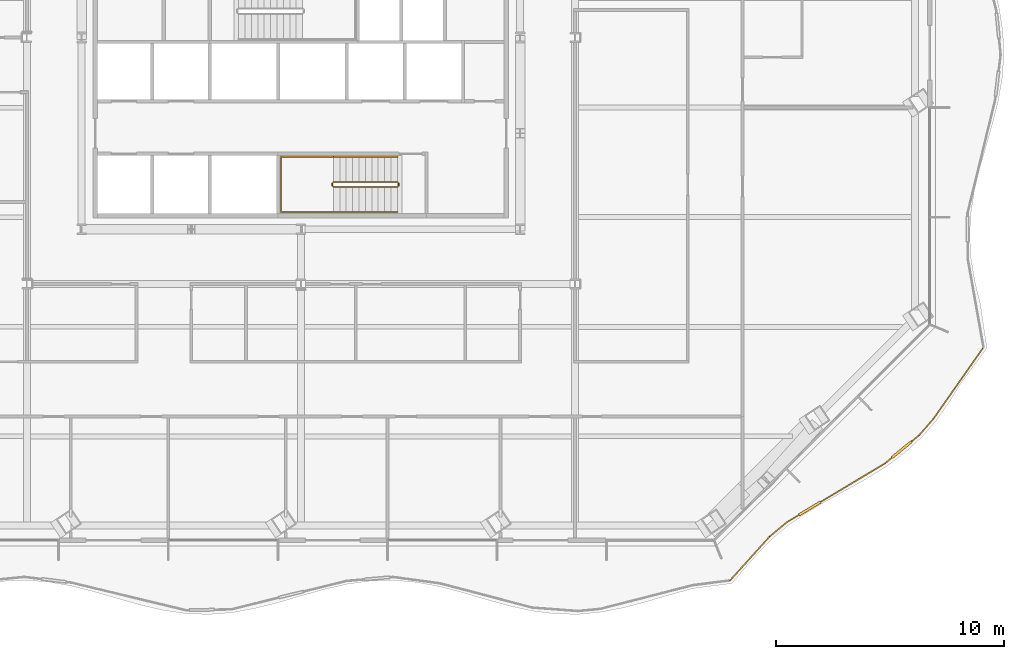
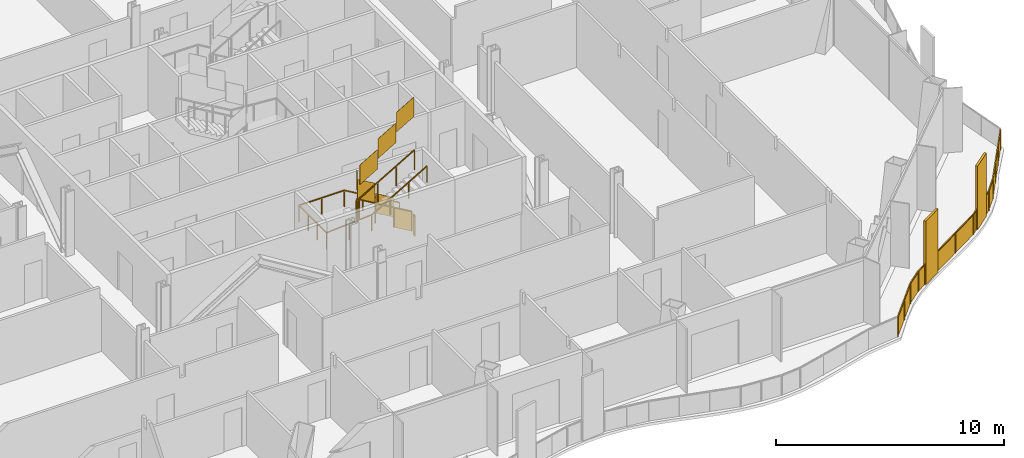
# One storey, part 17 of 21: 4 railings.
"""IFC4 building model written with IfcOpenShell, lengths in metres."""

import ifcopenshell
import ifcopenshell.guid

model = None  # the IFC model being written
_history = None  # IfcOwnerHistory: only IFC2X3 demands one
_inside = {}  # id of a spatial element -> (the spatial element, [elements in it])
_under = {}  # id of a project, library or spatial element -> (it, [spatial elements below it])
_declared = {}  # id of a project -> (the project, [libraries it declares])
_typed = {}  # id of a type object -> (the type object, [elements of that type])
_made_of = {}  # id of a material, layer set ... -> (it, [elements and type objects made of it])


def new_model(schema):
    """Start an empty IFC model of exactly this schema.

    Asked for "IFC4X3", IfcOpenShell would pick the latest addendum, in which some entities
    have other attributes; the version numbers below select the first issue.
    IFC2X3 requires an IfcOwnerHistory on every rooted entity: one is made here for all.
    """
    global model, _history
    if schema == "IFC4X3":
        model = ifcopenshell.file(schema_version=(4, 3, 0, 0))
    else:
        model = ifcopenshell.file(schema=schema)
    _inside.clear()
    _under.clear()
    _declared.clear()
    _typed.clear()
    _made_of.clear()
    _history = None
    if model.schema == "IFC2X3":
        org = make("IfcOrganization", Name="unknown")
        user = make(
            "IfcPersonAndOrganization",
            ThePerson=make("IfcPerson", FamilyName="unknown"),
            TheOrganization=org,
        )
        app = make(
            "IfcApplication",
            ApplicationDeveloper=org,
            Version="unknown",
            ApplicationFullName="unknown",
            ApplicationIdentifier="unknown",
        )
        _history = make(
            "IfcOwnerHistory",
            OwningUser=user,
            OwningApplication=app,
            ChangeAction="ADDED",
            CreationDate=0,
        )
    return model


def make(cls, **values):
    """One entity of the class cls with the attributes given. An attribute that is None is left unset."""
    return model.create_entity(
        cls, **{name: value for name, value in values.items() if value is not None}
    )


def rooted(cls, **values):
    """An entity with a GlobalId (a new one), such as an element, a storey or a relation."""
    return make(cls, GlobalId=ifcopenshell.guid.new(), OwnerHistory=_history, **values)


def si_unit(unit_type, name, prefix=None):
    """IfcSIUnit, for example si_unit("LENGTHUNIT", "METRE", prefix="MILLI")."""
    return make("IfcSIUnit", UnitType=unit_type, Prefix=prefix, Name=name)


def assignment(units):
    """IfcUnitAssignment: the units of a project."""
    return None if units is None else make("IfcUnitAssignment", Units=units)


def point(xyz):
    """IfcCartesianPoint."""
    return None if xyz is None else make("IfcCartesianPoint", Coordinates=xyz)


def direction(xyz):
    """IfcDirection."""
    return None if xyz is None else make("IfcDirection", DirectionRatios=xyz)


def frame(location, z_axis=None, x_axis=None):
    """IfcAxis2Placement3D, a coordinate frame: its origin and axes. An axis left out is left unset."""
    return make(
        "IfcAxis2Placement3D",
        Location=point(location),
        Axis=direction(z_axis),
        RefDirection=direction(x_axis),
    )


def frame_2d(location, x_axis=None):
    """IfcAxis2Placement2D, a coordinate frame in the plane: its origin and x axis."""
    return make(
        "IfcAxis2Placement2D", Location=point(location), RefDirection=direction(x_axis)
    )


def origin():
    """The frame at (0, 0, 0) with its axes left unset."""
    return frame((0.0, 0.0, 0.0))


def origin_2d():
    """The frame at (0, 0) in the plane with its x axis left unset."""
    return frame_2d((0.0, 0.0))


def place(relative_to, where):
    """IfcLocalPlacement: puts the frame where relative to a parent placement (None: the world)."""
    return make(
        "IfcLocalPlacement", PlacementRelTo=relative_to, RelativePlacement=where
    )


def context(
    kind, dimensions, precision=None, world=None, true_north=None, identifier=None
):
    """IfcGeometricRepresentationContext, for example the 3D "Model" context."""
    return make(
        "IfcGeometricRepresentationContext",
        ContextIdentifier=identifier,
        ContextType=kind,
        CoordinateSpaceDimension=dimensions,
        Precision=precision,
        WorldCoordinateSystem=world,
        TrueNorth=true_north,
    )


def subcontext(parent, identifier, kind, view, scale=None):
    """IfcGeometricRepresentationSubContext, for example "Body" below "Model"."""
    return make(
        "IfcGeometricRepresentationSubContext",
        ContextIdentifier=identifier,
        ContextType=kind,
        ParentContext=parent,
        TargetScale=scale,
        TargetView=view,
    )


def project(units=None, contexts=None):
    """IfcProject with its units and contexts."""
    return rooted(
        "IfcProject",
        Name="project",
        RepresentationContexts=contexts,
        UnitsInContext=assignment(units),
    )


def spatial(cls, under=None, at=None, **own):
    """A site, building, storey or space (cls), placed at a placement, below another one or the project."""
    s = rooted(cls, ObjectPlacement=at, **own)
    if under is not None:
        _under.setdefault(under.id(), (under, []))[1].append(s)
    return s


def polyline(points):
    """IfcPolyline through the points."""
    return make("IfcPolyline", Points=[point(p) for p in points])


def profile(cls, at=None, kind="AREA", **sizes):
    """A parametric profile (cls). Its sizes go by their IFC names, for example OverallWidth=200.0."""
    return make(cls, ProfileType=kind, Position=at, **sizes)


def rectangle(**sizes):
    """IfcRectangleProfileDef."""
    return profile("IfcRectangleProfileDef", **sizes)


def outline(outer, holes=None, kind="AREA"):
    """IfcArbitraryClosedProfileDef: a profile drawn as a closed curve; with holes, ...WithVoids."""
    if holes is None:
        return make("IfcArbitraryClosedProfileDef", ProfileType=kind, OuterCurve=outer)
    return make(
        "IfcArbitraryProfileDefWithVoids",
        ProfileType=kind,
        OuterCurve=outer,
        InnerCurves=holes,
    )


def extrude(swept, where, along, depth):
    """IfcExtrudedAreaSolid: the profile swept, set in the frame where, extruded along a direction by depth."""
    return make(
        "IfcExtrudedAreaSolid",
        SweptArea=swept,
        Position=where,
        ExtrudedDirection=direction(along),
        Depth=depth,
    )


def shape(context_of_items, identifier, shape_type, items):
    """IfcShapeRepresentation: the items that make up one representation, for example the "Body"."""
    return make(
        "IfcShapeRepresentation",
        ContextOfItems=context_of_items,
        RepresentationIdentifier=identifier,
        RepresentationType=shape_type,
        Items=items,
    )


def material(Name=None, Category=None):
    """IfcMaterial."""
    return make("IfcMaterial", Name=Name, Category=Category)


def made_of(thing, what):
    """Note that an element or type object is made of a material, layer set ...; save() writes the relation."""
    if what is not None:
        _made_of.setdefault(what.id(), (what, []))[1].append(thing)
    return thing


def type_object(cls, material=None, **own):
    """A type object (cls), such as IfcWallType, which elements share."""
    return made_of(rooted(cls, **own), material)


def element(
    cls,
    number,
    at=None,
    inside=None,
    cuts=None,
    type_object=None,
    material=None,
    context=None,
    identifier="Body",
    shape_type=None,
    held_by="IfcProductDefinitionShape",
    body=None,
    shapes=None,
    **own,
):
    """One element of the class cls, such as IfcWall. Its Tag is "e" and its number.

    at: its placement. inside: the storey or other place that contains it. cuts: it is an
    opening in that element (IfcRelVoidsElement). A single representation is given by context,
    identifier, shape_type and body (its items); several are given by shapes. held_by: the class
    of the entity that holds the representations. save() writes the other relations.
    """
    e = rooted(cls, Tag="e%d" % number, ObjectPlacement=at, **own)
    if body is not None:
        shapes = [shape(context, identifier, shape_type, body)]
    if shapes is not None:
        e.Representation = make(held_by, Representations=shapes)
    if inside is not None:
        _inside.setdefault(inside.id(), (inside, []))[1].append(e)
    if cuts is not None:
        rooted(
            "IfcRelVoidsElement", RelatingBuildingElement=cuts, RelatedOpeningElement=e
        )
    if type_object is not None:
        _typed.setdefault(type_object.id(), (type_object, []))[1].append(e)
    return made_of(e, material)


def aggregate(whole, parts):
    """IfcRelAggregates: a whole, such as a stair, and the parts it consists of."""
    return rooted("IfcRelAggregates", RelatingObject=whole, RelatedObjects=parts)


def save(model, path):
    """Write the relations noted so far, then the file.

    IfcRelAggregates (storeys below a building ...), IfcRelContainedInSpatialStructure (elements
    in a storey), IfcRelDefinesByType, IfcRelAssociatesMaterial and IfcRelDeclares: one each for
    every whole, place, type object, material and project.
    """
    for whole, parts in _under.values():
        aggregate(whole, parts)
    for where, things in _inside.values():
        rooted(
            "IfcRelContainedInSpatialStructure",
            RelatedElements=things,
            RelatingStructure=where,
        )
    for kind, things in _typed.values():
        rooted("IfcRelDefinesByType", RelatedObjects=things, RelatingType=kind)
    for what, things in _made_of.values():
        rooted("IfcRelAssociatesMaterial", RelatedObjects=things, RelatingMaterial=what)
    for by, libraries in _declared.values():
        rooted("IfcRelDeclares", RelatingContext=by, RelatedDefinitions=libraries)
    model.write(path)


model = new_model("IFC4")

# Units and contexts
model_context = context("Model", 3, precision=1e-05, world=origin(), true_north=direction((0.0, 1.0)))
body_context = subcontext(model_context, "Body", "Model", "MODEL_VIEW")
ifc_project = project(units=[si_unit("LENGTHUNIT", "METRE"), si_unit("AREAUNIT", "SQUARE_METRE"), si_unit("VOLUMEUNIT", "CUBIC_METRE"), si_unit("PLANEANGLEUNIT", "RADIAN"), si_unit("MASSUNIT", "GRAM", prefix="KILO")], contexts=[model_context])

# Site, building, storey
site_placement = place(None, origin())
site = spatial("IfcSite", under=ifc_project, at=site_placement, CompositionType="ELEMENT")
building_placement = place(site_placement, origin())
building = spatial("IfcBuilding", under=site, at=building_placement, Name="Cairn Pilgrim Tower", CompositionType="ELEMENT")
storey_placement = place(building_placement, frame((0.0, 0.0, 108.60009765625)))
storey = spatial("IfcBuildingStorey", under=building, at=storey_placement, Name="L26", CompositionType="ELEMENT", Elevation=108.60009765625)

# Railings
ifc_material_1 = material(Name="Bronze anodised aluminium rail, posts and fin screens with laminated glass infill", Category="aluminium")
railing_type_1 = type_object("IfcRailingType", Name="BALCONY GUARD WITH FIN SCREENS", PredefinedType="GUARDRAIL", material=ifc_material_1)
railing_1_placement = place(storey_placement, frame((25.998046875, -21.373779296875, 0.0)))
element("IfcRailing", 1, at=railing_1_placement, inside=storey, type_object=railing_type_1, Name="Balcony guard BGF-2 with fin screens", PredefinedType="GUARDRAIL", context=body_context, shape_type="SweptSolid", body=[
    extrude(rectangle(XDim=0.050048828125, YDim=0.050048828125, at=origin_2d()), frame((0.0, 0.0, 1.0751953125), z_axis=(0.669372577271, 0.742926882538, 0.0), x_axis=(-0.742926882538, 0.669372577271, 0.0)), (0.0, 0.0, 1.0), 2.5791015625),
    extrude(rectangle(XDim=0.050048828125, YDim=0.050048828125, at=origin_2d()), frame((1.726318359375, 1.916015625, 1.0751953125), z_axis=(0.769505319522, 0.638640402126, 0.0), x_axis=(-0.638640402126, 0.769505319522, 0.0)), (0.0, 0.0, 1.0), 0.996337890625),
    extrude(rectangle(XDim=1.10009765625, YDim=0.110107421875, at=origin_2d()), frame((3.4912109375, 3.150390625, 0.0), z_axis=(0.0, 0.0, 1.0), x_axis=(0.857803039217, 0.513978546158, 0.0)), (0.0, 0.0, 1.0), 3.39990234375),
    extrude(rectangle(XDim=0.050048828125, YDim=0.050048828125, at=origin_2d()), frame((2.492919921875, 2.55224609375, 1.0751953125), z_axis=(0.857803039217, 0.513978546158, 0.0), x_axis=(-0.513978546158, 0.857803039217, 0.0)), (0.0, 0.0, 1.0), 0.61376953125),
    extrude(rectangle(XDim=0.050048828125, YDim=0.050048828125, at=origin_2d()), frame((3.962890625, 3.43310546875, 1.0751953125), z_axis=(0.857803039217, 0.513978546158, 0.0), x_axis=(-0.513978546158, 0.857803039217, 0.0)), (0.0, 0.0, 1.0), 3.28515625),
    extrude(rectangle(XDim=1.10009765625, YDim=0.110107421875, at=origin_2d()), frame((7.51220703125, 5.723876953125, 0.0), z_axis=(0.0, 0.0, 1.0), x_axis=(0.771805757531, 0.635858374673, 0.0)), (0.0, 0.0, 1.0), 3.39990234375),
    extrude(rectangle(XDim=0.050048828125, YDim=0.050048828125, at=origin_2d()), frame((6.781005859375, 5.12158203125, 1.0751953125), z_axis=(0.771805757531, 0.635858374673, 0.0), x_axis=(-0.635858374673, 0.771805757531, 0.0)), (0.0, 0.0, 1.0), 0.397216796875),
    extrude(rectangle(XDim=0.050048828125, YDim=0.050048828125, at=origin_2d()), frame((7.9365234375, 6.07373046875, 1.0751953125), z_axis=(0.771805757531, 0.635858374673, 0.0), x_axis=(-0.635858374673, 0.771805757531, 0.0)), (0.0, 0.0, 1.0), 0.427978515625),
    extrude(rectangle(XDim=0.050048828125, YDim=0.050048828125, at=origin_2d()), frame((8.266845703125, 6.345703125, 1.0751953125), z_axis=(0.658595421587, 0.752497223028, 0.0), x_axis=(-0.752497223028, 0.658595421587, 0.0)), (0.0, 0.0, 1.0), 0.95166015625),
    extrude(rectangle(XDim=0.050048828125, YDim=0.050048828125, at=origin_2d()), frame((8.8935546875, 7.061767578125, 1.0751953125), z_axis=(0.573549194106, 0.819171118839, 0.0), x_axis=(-0.819171118839, 0.573549194106, 0.0)), (0.0, 0.0, 1.0), 3.773193359375),
    extrude(rectangle(XDim=0.050048828125, YDim=0.050048828125, at=origin_2d()), origin(), (0.0, 0.0, 1.0), 1.050048828125),
    extrude(rectangle(XDim=0.050048828125, YDim=0.050048828125, at=origin_2d()), frame((0.86328125, 0.9580078125, 0.0)), (0.0, 0.0, 1.0), 1.050048828125),
    extrude(rectangle(XDim=0.050048828125, YDim=0.050048828125, at=origin_2d()), frame((1.726318359375, 1.916015625, 0.0)), (0.0, 0.0, 1.0), 1.050048828125),
    extrude(rectangle(XDim=0.050048828125, YDim=0.050048828125, at=origin_2d()), frame((2.492919921875, 2.55224609375, 0.0)), (0.0, 0.0, 1.0), 1.050048828125),
    extrude(rectangle(XDim=0.050048828125, YDim=0.050048828125, at=origin_2d()), frame((2.998046875, 2.854736328125, 0.0)), (0.0, 0.0, 1.0), 1.050048828125),
    extrude(rectangle(XDim=0.050048828125, YDim=0.050048828125, at=origin_2d()), frame((3.984375, 3.446044921875, 0.0)), (0.0, 0.0, 1.0), 1.050048828125),
    extrude(rectangle(XDim=0.050048828125, YDim=0.050048828125, at=origin_2d()), frame((5.3828125, 4.28369140625, 0.0)), (0.0, 0.0, 1.0), 1.050048828125),
    extrude(rectangle(XDim=0.050048828125, YDim=0.050048828125, at=origin_2d()), frame((6.781005859375, 5.12158203125, 0.0)), (0.0, 0.0, 1.0), 1.050048828125),
    extrude(rectangle(XDim=0.050048828125, YDim=0.050048828125, at=origin_2d()), frame((7.068359375, 5.358154296875, 0.0)), (0.0, 0.0, 1.0), 1.050048828125),
    extrude(rectangle(XDim=0.050048828125, YDim=0.050048828125, at=origin_2d()), frame((7.955810546875, 6.089599609375, 0.0)), (0.0, 0.0, 1.0), 1.050048828125),
    extrude(rectangle(XDim=0.050048828125, YDim=0.050048828125, at=origin_2d()), frame((8.266845703125, 6.345703125, 0.0)), (0.0, 0.0, 1.0), 1.050048828125),
    extrude(rectangle(XDim=0.050048828125, YDim=0.050048828125, at=origin_2d()), frame((8.8935546875, 7.061767578125, 0.0)), (0.0, 0.0, 1.0), 1.050048828125),
    extrude(rectangle(XDim=0.050048828125, YDim=0.050048828125, at=origin_2d()), frame((9.614990234375, 8.092041015625, 0.0)), (0.0, 0.0, 1.0), 1.050048828125),
    extrude(rectangle(XDim=0.050048828125, YDim=0.050048828125, at=origin_2d()), frame((10.336181640625, 9.122314453125, 0.0)), (0.0, 0.0, 1.0), 1.050048828125),
    extrude(rectangle(XDim=0.050048828125, YDim=0.050048828125, at=origin_2d()), frame((11.0576171875, 10.152587890625, 0.0)), (0.0, 0.0, 1.0), 1.050048828125),
    extrude(outline(polyline([(0.02490234375, 0.0), (1.264404296875, 0.0), (1.264404296875, 1.050048828125), (0.02490234375, 1.050048828125), (0.02490234375, 0.0)])), frame((-0.00439453125, 0.00390625, 0.0), z_axis=(0.742926882538, -0.669372577271, 0.0), x_axis=(0.669372577271, 0.742926882538, 0.0)), (0.0, 0.0, 1.0), 0.011962890625),
    extrude(outline(polyline([(0.02490234375, 0.0), (1.264404296875, 0.0), (1.264404296875, 1.050048828125), (0.02490234375, 1.050048828125), (0.02490234375, 0.0)])), frame((0.858642578125, 0.9619140625, 0.0), z_axis=(0.742926882538, -0.669372577271, 0.0), x_axis=(0.669372577271, 0.742926882538, 0.0)), (0.0, 0.0, 1.0), 0.011962890625),
    extrude(outline(polyline([(0.02490234375, 0.0), (0.97119140625, 0.0), (0.97119140625, 1.050048828125), (0.02490234375, 1.050048828125), (0.02490234375, 0.0)])), frame((1.722412109375, 1.920654296875, 0.0), z_axis=(0.638640402126, -0.769505319522, 0.0), x_axis=(0.769505319522, 0.638640402126, 0.0)), (0.0, 0.0, 1.0), 0.011962890625),
    extrude(outline(polyline([(0.02490234375, 0.0), (0.563720703125, 0.0), (0.563720703125, 1.050048828125), (0.02490234375, 1.050048828125), (0.02490234375, 0.0)])), frame((2.48974609375, 2.557373046875, 0.0), z_axis=(0.513978546158, -0.857803039217, 0.0), x_axis=(0.857803039217, 0.513978546158, 0.0)), (0.0, 0.0, 1.0), 0.011962890625),
    extrude(outline(polyline([(0.02490234375, 0.0), (1.60498046875, 0.0), (1.60498046875, 1.050048828125), (0.02490234375, 1.050048828125), (0.02490234375, 0.0)])), frame((3.9814453125, 3.451171875, 0.0), z_axis=(0.513978546158, -0.857803039217, 0.0), x_axis=(0.857803039217, 0.513978546158, 0.0)), (0.0, 0.0, 1.0), 0.011962890625),
    extrude(outline(polyline([(0.02490234375, 0.0), (1.60498046875, 0.0), (1.60498046875, 1.050048828125), (0.02490234375, 1.050048828125), (0.02490234375, 0.0)])), frame((5.379638671875, 4.288818359375, 0.0), z_axis=(0.513978546158, -0.857803039217, 0.0), x_axis=(0.857803039217, 0.513978546158, 0.0)), (0.0, 0.0, 1.0), 0.011962890625),
    extrude(outline(polyline([(0.02490234375, 0.0), (0.34716796875, 0.0), (0.34716796875, 1.050048828125), (0.02490234375, 1.050048828125), (0.02490234375, 0.0)])), frame((6.777099609375, 5.126220703125, 0.0), z_axis=(0.635858374673, -0.771805757531, 0.0), x_axis=(0.771805757531, 0.635858374673, 0.0)), (0.0, 0.0, 1.0), 0.011962890625),
    extrude(outline(polyline([(0.02490234375, 0.0), (0.3779296875, 0.0), (0.3779296875, 1.050048828125), (0.02490234375, 1.050048828125), (0.02490234375, 0.0)])), frame((7.9521484375, 6.09423828125, 0.0), z_axis=(0.635858374673, -0.771805757531, 0.0), x_axis=(0.771805757531, 0.635858374673, 0.0)), (0.0, 0.0, 1.0), 0.011962890625),
    extrude(outline(polyline([(0.02490234375, 0.0), (0.926513671875, 0.0), (0.926513671875, 1.050048828125), (0.02490234375, 1.050048828125), (0.02490234375, 0.0)])), frame((8.262451171875, 6.349609375, 0.0), z_axis=(0.752497223028, -0.658595421587, 0.0), x_axis=(0.658595421587, 0.752497223028, 0.0)), (0.0, 0.0, 1.0), 0.011962890625),
    extrude(outline(polyline([(0.02490234375, 0.0), (1.232666015625, 0.0), (1.232666015625, 1.050048828125), (0.02490234375, 1.050048828125), (0.02490234375, 0.0)])), frame((8.888671875, 7.065185546875, 0.0), z_axis=(0.819171118839, -0.573549194106, 0.0), x_axis=(0.573549194106, 0.819171118839, 0.0)), (0.0, 0.0, 1.0), 0.011962890625),
    extrude(outline(polyline([(0.02490234375, 0.0), (1.232666015625, 0.0), (1.232666015625, 1.050048828125), (0.02490234375, 1.050048828125), (0.02490234375, 0.0)])), frame((9.610107421875, 8.095458984375, 0.0), z_axis=(0.819171118839, -0.573549194106, 0.0), x_axis=(0.573549194106, 0.819171118839, 0.0)), (0.0, 0.0, 1.0), 0.011962890625),
    extrude(outline(polyline([(0.02490234375, 0.0), (1.232666015625, 0.0), (1.232666015625, 1.050048828125), (0.02490234375, 1.050048828125), (0.02490234375, 0.0)])), frame((10.331298828125, 9.125732421875, 0.0), z_axis=(0.819171118839, -0.573549194106, 0.0), x_axis=(0.573549194106, 0.819171118839, 0.0)), (0.0, 0.0, 1.0), 0.011962890625),
])
ifc_material_2 = material(Name="Painted steel", Category="steel")
railing_type_2 = type_object("IfcRailingType", Name="STAIR GUARD 1100", PredefinedType="GUARDRAIL", material=ifc_material_2)
railing_2_placement = place(storey_placement, frame((11.425048828125, -3.925048828125, 0.16357421875)))
element("IfcRailing", 2, at=railing_2_placement, inside=storey, type_object=railing_type_2, Name="L26 ST-A stair guard 1", PredefinedType="GUARDRAIL", context=body_context, shape_type="SweptSolid", body=[
    extrude(rectangle(XDim=0.048095703125, YDim=0.048095703125, at=origin_2d()), frame((0.0, 0.0, 1.076171875), z_axis=(-0.863393664356, 0.0, 0.504530851732), x_axis=(0.0, -1.0, 0.0)), (0.0, 0.0, 1.0), 3.2431640625),
    extrude(rectangle(XDim=0.048095703125, YDim=0.048095703125, at=origin_2d()), frame((-2.800048828125, 0.0, 2.71240234375), z_axis=(-0.707106781187, -0.707106781187, 0.0), x_axis=(0.707106781187, -0.707106781187, 0.0)), (0.0, 0.0, 1.0), 0.07080078125),
    extrude(rectangle(XDim=0.048095703125, YDim=0.048095703125, at=origin_2d()), frame((-2.85009765625, -0.050048828125, 2.71240234375), z_axis=(0.0, -1.0, 0.0), x_axis=(1.0, 0.0, 0.0)), (0.0, 0.0, 1.0), 0.125),
    extrude(rectangle(XDim=0.048095703125, YDim=0.048095703125, at=origin_2d()), frame((-2.85009765625, -0.175048828125, 2.71240234375), z_axis=(0.280563532951, -0.279194930351, 0.91833234444), x_axis=(0.705375805398, 0.708833529934, 0.0)), (0.0, 0.0, 1.0), 0.178466796875),
    extrude(rectangle(XDim=0.048095703125, YDim=0.048095703125, at=origin_2d()), frame((-2.800048828125, -0.224853515625, 2.8759765625), z_axis=(0.863393664356, 0.0, 0.504530851732), x_axis=(0.0, 1.0, 0.0)), (0.0, 0.0, 1.0), 3.2431640625),
    extrude(rectangle(XDim=0.0419921875, YDim=0.0419921875, at=origin_2d()), origin(), (0.0, 0.0, 1.0), 1.052001953125),
    extrude(rectangle(XDim=0.0419921875, YDim=0.0419921875, at=origin_2d()), frame((-0.933349609375, 0.0, 0.54541015625)), (0.0, 0.0, 1.0), 1.052001953125),
    extrude(rectangle(XDim=0.0419921875, YDim=0.0419921875, at=origin_2d()), frame((-1.86669921875, 0.0, 1.0908203125)), (0.0, 0.0, 1.0), 1.052001953125),
    extrude(rectangle(XDim=0.0419921875, YDim=0.0419921875, at=origin_2d()), frame((-2.800048828125, 0.0, 1.63623046875)), (0.0, 0.0, 1.0), 1.052001953125),
    extrude(rectangle(XDim=0.0419921875, YDim=0.0419921875, at=origin_2d()), frame((-2.85009765625, -0.050048828125, 1.63623046875)), (0.0, 0.0, 1.0), 1.052001953125),
    extrude(rectangle(XDim=0.0419921875, YDim=0.0419921875, at=origin_2d()), frame((-2.85009765625, -0.175048828125, 1.63623046875)), (0.0, 0.0, 1.0), 1.052001953125),
    extrude(rectangle(XDim=0.0419921875, YDim=0.0419921875, at=origin_2d()), frame((-2.800048828125, -0.224853515625, 1.800048828125)), (0.0, 0.0, 1.0), 1.052001953125),
    extrude(rectangle(XDim=0.0419921875, YDim=0.0419921875, at=origin_2d()), frame((-1.86669921875, -0.224853515625, 2.345458984375)), (0.0, 0.0, 1.0), 1.052001953125),
    extrude(rectangle(XDim=0.0419921875, YDim=0.0419921875, at=origin_2d()), frame((-0.933349609375, -0.224853515625, 2.890869140625)), (0.0, 0.0, 1.0), 1.052001953125),
    extrude(rectangle(XDim=0.0419921875, YDim=0.0419921875, at=origin_2d()), frame((0.0, -0.224853515625, 3.436279296875)), (0.0, 0.0, 1.0), 1.052001953125),
    extrude(outline(polyline([(0.02099609375, 0.01220703125), (0.912353515625, 0.533203125), (0.912353515625, 1.585205078125), (0.02099609375, 1.064208984375), (0.02099609375, 0.01220703125)])), frame((0.0, -0.005859375, 0.0), z_axis=(0.0, 1.0, 0.0), x_axis=(-1.0, 0.0, 0.0)), (0.0, 0.0, 1.0), 0.011962890625),
    extrude(outline(polyline([(0.02099609375, 0.5576171875), (0.912353515625, 1.07861328125), (0.912353515625, 2.130615234375), (0.02099609375, 1.609619140625), (0.02099609375, 0.5576171875)])), frame((-0.933349609375, -0.005859375, 0.54541015625), z_axis=(0.0, 1.0, 0.0), x_axis=(-1.0, 0.0, 0.0)), (0.0, 0.0, 1.0), 0.011962890625),
    extrude(outline(polyline([(0.02099609375, 1.10302734375), (0.912353515625, 1.6240234375), (0.912353515625, 2.676025390625), (0.02099609375, 2.155029296875), (0.02099609375, 1.10302734375)])), frame((-1.86669921875, -0.005859375, 1.0908203125), z_axis=(0.0, 1.0, 0.0), x_axis=(-1.0, 0.0, 0.0)), (0.0, 0.0, 1.0), 0.011962890625),
    extrude(outline(polyline([(0.02099609375, 1.63623046875), (0.10400390625, 1.63623046875), (0.10400390625, 2.688232421875), (0.02099609375, 2.688232421875), (0.02099609375, 1.63623046875)])), frame((-2.84423828125, -0.050048828125, 1.63623046875), z_axis=(-1.0, 0.0, 0.0), x_axis=(0.0, -1.0, 0.0)), (0.0, 0.0, 1.0), 0.011962890625),
    extrude(outline(polyline([(0.02099609375, 1.812255859375), (0.912353515625, 2.333251953125), (0.912353515625, 3.38525390625), (0.02099609375, 2.8642578125), (0.02099609375, 1.812255859375)])), frame((-2.800048828125, -0.21875, 1.800048828125), z_axis=(0.0, -1.0, 0.0), x_axis=(1.0, 0.0, 0.0)), (0.0, 0.0, 1.0), 0.011962890625),
    extrude(outline(polyline([(0.02099609375, 2.357666015625), (0.912353515625, 2.878662109375), (0.912353515625, 3.9306640625), (0.02099609375, 3.40966796875), (0.02099609375, 2.357666015625)])), frame((-1.86669921875, -0.21875, 2.345458984375), z_axis=(0.0, -1.0, 0.0), x_axis=(1.0, 0.0, 0.0)), (0.0, 0.0, 1.0), 0.011962890625),
    extrude(outline(polyline([(0.02099609375, 2.903076171875), (0.912353515625, 3.424072265625), (0.912353515625, 4.47607421875), (0.02099609375, 3.955078125), (0.02099609375, 2.903076171875)])), frame((-0.933349609375, -0.21875, 2.890869140625), z_axis=(0.0, -1.0, 0.0), x_axis=(1.0, 0.0, 0.0)), (0.0, 0.0, 1.0), 0.011962890625),
])
railing_3_placement = place(storey_placement, frame((11.47509765625, -3.97509765625, 0.0)))
element("IfcRailing", 3, at=railing_3_placement, inside=storey, type_object=railing_type_2, Name="L26 ST-A stair guard 2", PredefinedType="GUARDRAIL", context=body_context, shape_type="SweptSolid", body=[
    extrude(rectangle(XDim=0.048095703125, YDim=0.048095703125, at=origin_2d()), frame((0.0, 0.0, 1.076171875), z_axis=(0.0, -1.0, 0.0), x_axis=(1.0, 0.0, 0.0)), (0.0, 0.0, 1.0), 0.125),
    extrude(rectangle(XDim=0.0419921875, YDim=0.0419921875, at=origin_2d()), origin(), (0.0, 0.0, 1.0), 1.052001953125),
    extrude(rectangle(XDim=0.0419921875, YDim=0.0419921875, at=origin_2d()), frame((0.0, -0.125, 0.0)), (0.0, 0.0, 1.0), 1.052001953125),
    extrude(outline(polyline([(0.02099609375, 0.0), (0.10400390625, 0.0), (0.10400390625, 1.052001953125), (0.02099609375, 1.052001953125), (0.02099609375, 0.0)])), frame((0.005859375, 0.0, 0.0), z_axis=(-1.0, 0.0, 0.0), x_axis=(0.0, -1.0, 0.0)), (0.0, 0.0, 1.0), 0.011962890625),
])
railing_type_3 = type_object("IfcRailingType", Name="STAIR HANDRAIL 900", PredefinedType="HANDRAIL", material=ifc_material_2)
railing_4_placement = place(storey_placement, frame((11.425048828125, -2.824951171875, 0.16357421875)))
element("IfcRailing", 4, at=railing_4_placement, inside=storey, type_object=railing_type_3, Name="L26 ST-A stair handrail 1", PredefinedType="HANDRAIL", context=body_context, shape_type="SweptSolid", body=[
    extrude(rectangle(XDim=0.048095703125, YDim=0.048095703125, at=origin_2d()), frame((0.0, 0.0, 0.8759765625), z_axis=(-0.863393664356, 0.0, 0.504530851732), x_axis=(0.0, -1.0, 0.0)), (0.0, 0.0, 1.0), 3.2431640625),
    extrude(rectangle(XDim=0.048095703125, YDim=0.048095703125, at=origin_2d()), frame((-2.800048828125, 0.0, 2.51220703125), z_axis=(-1.0, 0.0, 0.0), x_axis=(0.0, -1.0, 0.0)), (0.0, 0.0, 1.0), 2.300048828125),
    extrude(rectangle(XDim=0.048095703125, YDim=0.048095703125, at=origin_2d()), frame((-5.10009765625, 0.0, 2.51220703125), z_axis=(0.0, -1.0, 0.0), x_axis=(1.0, 0.0, 0.0)), (0.0, 0.0, 1.0), 2.425048828125),
    extrude(rectangle(XDim=0.048095703125, YDim=0.048095703125, at=origin_2d()), frame((-5.10009765625, -2.425048828125, 2.51220703125), z_axis=(0.99747319029, 0.0, 0.071043892441), x_axis=(0.0, 1.0, 0.0)), (0.0, 0.0, 1.0), 2.305908203125),
    extrude(rectangle(XDim=0.048095703125, YDim=0.048095703125, at=origin_2d()), frame((-2.800048828125, -2.425048828125, 2.67578125), z_axis=(0.863393664356, 0.0, 0.504530851732), x_axis=(0.0, 1.0, 0.0)), (0.0, 0.0, 1.0), 3.2431640625),
    extrude(rectangle(XDim=0.0419921875, YDim=0.0419921875, at=origin_2d()), origin(), (0.0, 0.0, 1.0), 0.851806640625),
    extrude(rectangle(XDim=0.0419921875, YDim=0.0419921875, at=origin_2d()), frame((-0.933349609375, 0.0, 0.54541015625)), (0.0, 0.0, 1.0), 0.851806640625),
    extrude(rectangle(XDim=0.0419921875, YDim=0.0419921875, at=origin_2d()), frame((-1.86669921875, 0.0, 1.0908203125)), (0.0, 0.0, 1.0), 0.851806640625),
    extrude(rectangle(XDim=0.0419921875, YDim=0.0419921875, at=origin_2d()), frame((-2.800048828125, 0.0, 1.63623046875)), (0.0, 0.0, 1.0), 0.851806640625),
    extrude(rectangle(XDim=0.0419921875, YDim=0.0419921875, at=origin_2d()), frame((-3.9501953125, 0.0, 1.63623046875)), (0.0, 0.0, 1.0), 0.851806640625),
    extrude(rectangle(XDim=0.0419921875, YDim=0.0419921875, at=origin_2d()), frame((-5.10009765625, 0.0, 1.63623046875)), (0.0, 0.0, 1.0), 0.851806640625),
    extrude(rectangle(XDim=0.0419921875, YDim=0.0419921875, at=origin_2d()), frame((-5.10009765625, -0.808349609375, 1.63623046875)), (0.0, 0.0, 1.0), 0.851806640625),
    extrude(rectangle(XDim=0.0419921875, YDim=0.0419921875, at=origin_2d()), frame((-5.10009765625, -1.61669921875, 1.63623046875)), (0.0, 0.0, 1.0), 0.851806640625),
    extrude(rectangle(XDim=0.0419921875, YDim=0.0419921875, at=origin_2d()), frame((-5.10009765625, -2.425048828125, 1.63623046875)), (0.0, 0.0, 1.0), 0.851806640625),
    extrude(rectangle(XDim=0.0419921875, YDim=0.0419921875, at=origin_2d()), frame((-3.9501953125, -2.425048828125, 1.71826171875)), (0.0, 0.0, 1.0), 0.851806640625),
    extrude(rectangle(XDim=0.0419921875, YDim=0.0419921875, at=origin_2d()), frame((-2.800048828125, -2.425048828125, 1.800048828125)), (0.0, 0.0, 1.0), 0.851806640625),
    extrude(rectangle(XDim=0.0419921875, YDim=0.0419921875, at=origin_2d()), frame((-1.86669921875, -2.425048828125, 2.345458984375)), (0.0, 0.0, 1.0), 0.851806640625),
    extrude(rectangle(XDim=0.0419921875, YDim=0.0419921875, at=origin_2d()), frame((-0.933349609375, -2.425048828125, 2.890869140625)), (0.0, 0.0, 1.0), 0.851806640625),
    extrude(rectangle(XDim=0.0419921875, YDim=0.0419921875, at=origin_2d()), frame((0.0, -2.425048828125, 3.436279296875)), (0.0, 0.0, 1.0), 0.851806640625),
])

save(model, "model.ifc")
